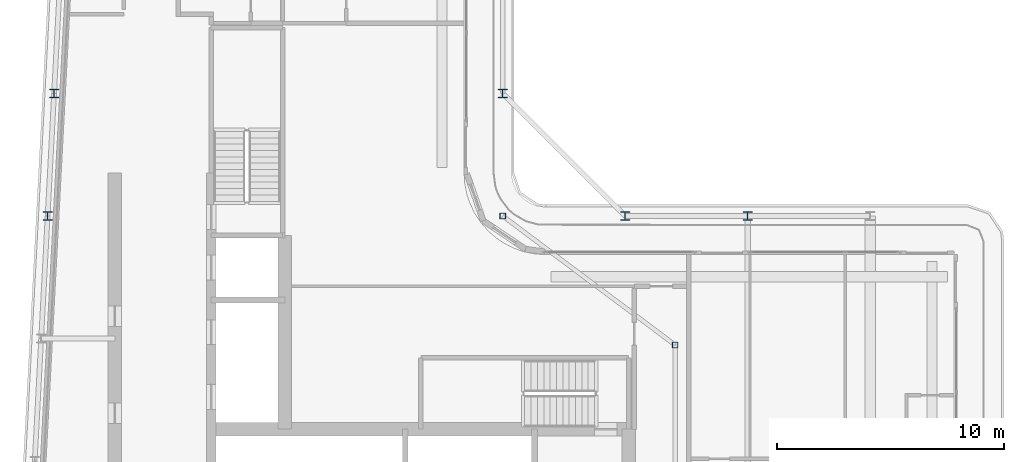
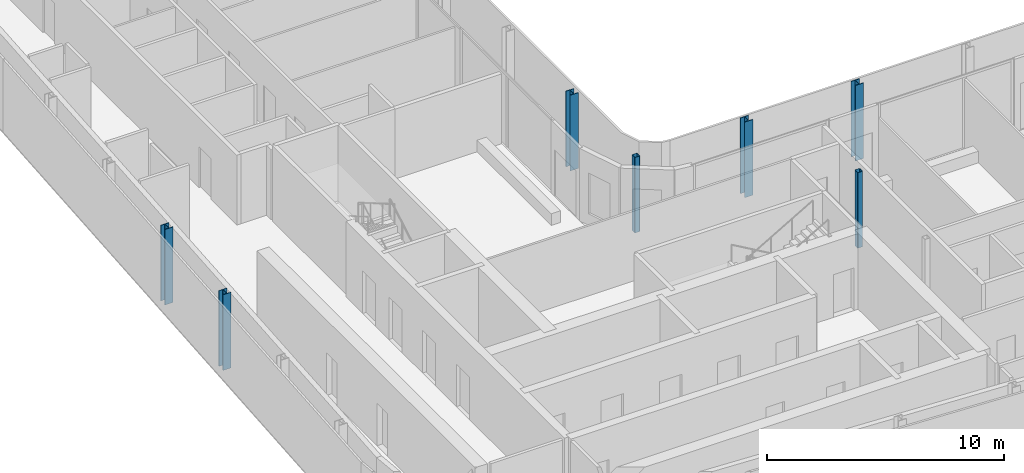
# One storey, part 2 of 21: 7 columns.
"""IFC4 building model written with IfcOpenShell, lengths in metres."""

from ifc_helpers import new_model, si_unit, direction, frame, origin, origin_2d, place, context, subcontext, project, spatial, hollow_rectangle, i_section, extrude, material, material_profile, profile_set, type_object, element, save


model = new_model("IFC4")

# Units and contexts
model_context = context("Model", 3, precision=1e-05, world=origin(), true_north=direction((0.0, 1.0)))
body_context = subcontext(model_context, "Body", "Model", "MODEL_VIEW")
ifc_project = project(units=[si_unit("LENGTHUNIT", "METRE"), si_unit("AREAUNIT", "SQUARE_METRE"), si_unit("VOLUMEUNIT", "CUBIC_METRE"), si_unit("PLANEANGLEUNIT", "RADIAN"), si_unit("MASSUNIT", "GRAM", prefix="KILO")], contexts=[model_context])

# Site, building, storey
site_placement = place(None, origin())
site = spatial("IfcSite", under=ifc_project, at=site_placement, CompositionType="ELEMENT")
building_placement = place(site_placement, origin())
building = spatial("IfcBuilding", under=site, at=building_placement, Name="Kheshtan School and Residences Tower", CompositionType="ELEMENT")
storey_placement = place(building_placement, frame((0.0, 0.0, 309.800048828125)))
storey = spatial("IfcBuildingStorey", under=building, at=storey_placement, Name="L73", CompositionType="ELEMENT", Elevation=309.800048828125)

# Columns
ifc_material_1 = material(Name="Steel ASTM A992 Grade 50", Category="steel")
ifc_material_profile_1 = material_profile(ifc_material_1, i_section(OverallWidth=0.39501953125, OverallDepth=0.3798828125, WebThickness=0.018798828125, FlangeThickness=0.0302734375, FilletRadius=0.011474609375, at=origin_2d()), Name="W360x237")
ifc_profile_set_1 = profile_set([ifc_material_profile_1], Name="Steel ASTM A992 Grade 50")
column_type_1 = type_object("IfcColumnType", Name="Column C5 W360x237 ASTM A992 Grade 50", PredefinedType="COLUMN", material=ifc_profile_set_1)
for number, where, z_axis, x_axis, name in (
    (1, (27.537109375, 45.60009765625, 0.0), (0.0, 0.0, 1.0), (1.0, 0.0, 0.0), "Column C059"),
    (2, (53.0, 45.60009765625, 0.0), (0.0, 0.0, 1.0), (1.0, 0.0, 0.0), "Column C061"),
    (3, (58.39990234375, 45.60009765625, 0.0), (0.0, 0.0, 1.0), (1.0, 0.0, 0.0), "Column C062"),
    (4, (27.822021484375, 51.0, 0.0), (0.0, 0.0, 1.0), (1.0, 0.0, 0.0), "Column C078"),
    (5, (47.60009765625, 51.0, 0.0), (0.0, 0.0, 1.0), (1.0, 0.0, 0.0), "Column C079"),
):
    element("IfcColumn", number, at=place(storey_placement, frame(where, z_axis=z_axis, x_axis=x_axis)), inside=storey, type_object=column_type_1, Name=name, PredefinedType="COLUMN", context=body_context, shape_type="SweptSolid", body=[
        extrude(i_section(OverallWidth=0.39501953125, OverallDepth=0.3798828125, WebThickness=0.018798828125, FlangeThickness=0.0302734375, FilletRadius=0.011474609375, at=origin_2d()), origin(), (0.0, 0.0, 1.0), 3.89990234375),
    ])
ifc_material_2 = material(Name="Steel ASTM A500 Grade C", Category="steel")
ifc_material_profile_2 = material_profile(ifc_material_2, hollow_rectangle(XDim=0.25390625, YDim=0.25390625, WallThickness=0.0126953125, InnerFilletRadius=0.0126953125, OuterFilletRadius=0.025390625, at=origin_2d()), Name="HSS 254x254x12.7")
ifc_profile_set_2 = profile_set([ifc_material_profile_2], Name="Steel ASTM A500 Grade C")
column_type_2 = type_object("IfcColumnType", Name="Column IC3 HSS 254x254x12.7 ASTM A500 Grade C", PredefinedType="COLUMN", material=ifc_profile_set_2)
for number, where, z_axis, x_axis, name in (
    (6, (55.199951171875, 39.916015625, 0.0), (0.0, 0.0, 1.0), (1.0, 0.0, 0.0), "Column C055"),
    (7, (47.60009765625, 45.60009765625, 0.0), (0.0, 0.0, 1.0), (1.0, 0.0, 0.0), "Column C060"),
):
    element("IfcColumn", number, at=place(storey_placement, frame(where, z_axis=z_axis, x_axis=x_axis)), inside=storey, type_object=column_type_2, Name=name, PredefinedType="COLUMN", context=body_context, shape_type="SweptSolid", body=[
        extrude(hollow_rectangle(XDim=0.25390625, YDim=0.25390625, WallThickness=0.0126953125, InnerFilletRadius=0.0126953125, OuterFilletRadius=0.025390625, at=origin_2d()), origin(), (0.0, 0.0, 1.0), 3.89990234375),
    ])

save(model, "model.ifc")
